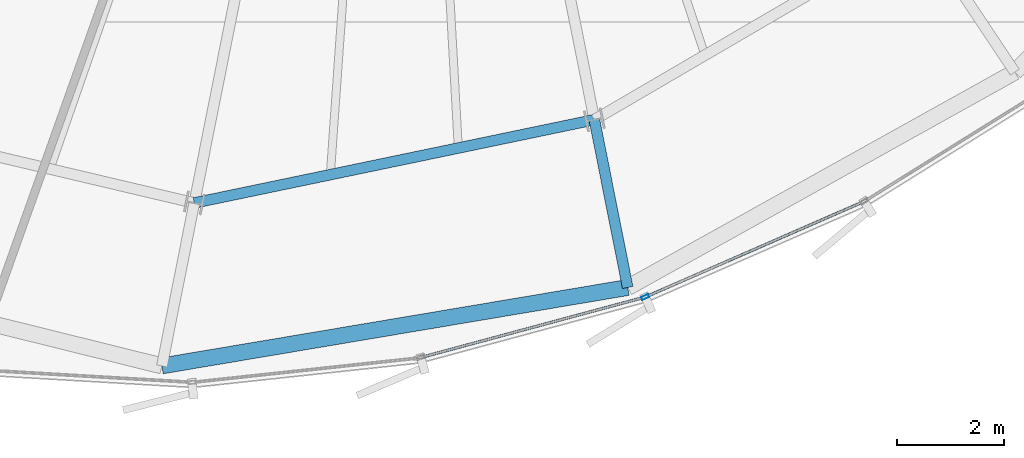
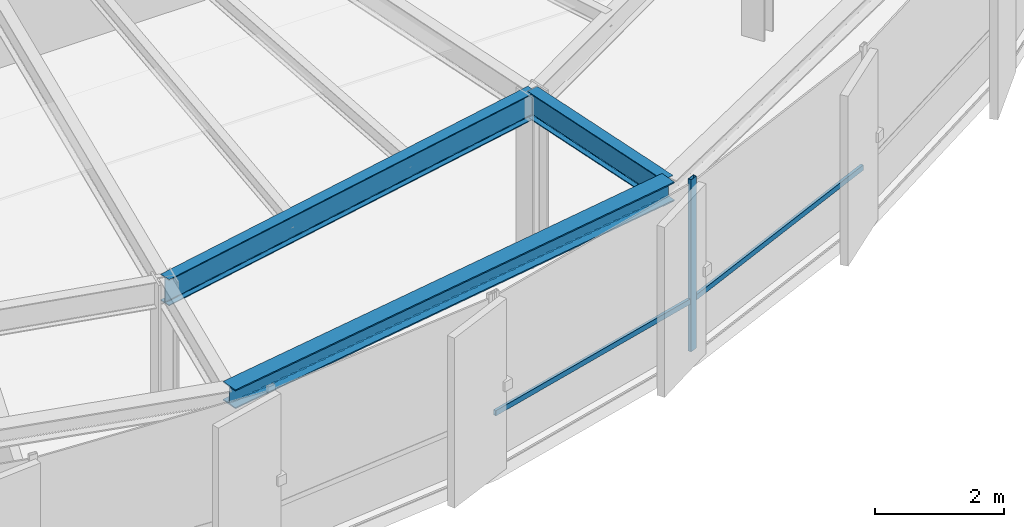
# One storey, part 7 of 35: 3 beams, 3 members, 1 element without a shape of its own.
"""IFC4 building model written with IfcOpenShell, lengths in metres."""

from ifc_helpers import new_model, si_unit, direction, frame, origin, origin_2d, place, context, subcontext, project, spatial, hollow_rectangle, i_section, extrude, source, transform, mapped, material, layer, layer_set, material_profile, profile_set, type_object, element, aggregate, save


model = new_model("IFC4")

# Units and contexts
model_context = context("Model", 3, precision=1e-05, world=origin(), true_north=direction((0.0, 1.0)))
body_context = subcontext(model_context, "Body", "Model", "MODEL_VIEW")
ifc_project = project(units=[si_unit("LENGTHUNIT", "METRE"), si_unit("AREAUNIT", "SQUARE_METRE"), si_unit("VOLUMEUNIT", "CUBIC_METRE"), si_unit("PLANEANGLEUNIT", "RADIAN"), si_unit("MASSUNIT", "GRAM", prefix="KILO"), si_unit("THERMODYNAMICTEMPERATUREUNIT", "KELVIN")], contexts=[model_context])

# Site, building, storey
site_placement = place(None, origin())
site = spatial("IfcSite", under=ifc_project, at=site_placement, CompositionType="ELEMENT")
building_placement = place(site_placement, origin())
building = spatial("IfcBuilding", under=site, at=building_placement, Name="Kethvar Cultural Tower", CompositionType="ELEMENT")
storey_placement = place(building_placement, frame((0.0, 0.0, 179.89990234375)))
storey = spatial("IfcBuildingStorey", under=building, at=storey_placement, Name="L46", CompositionType="ELEMENT", Elevation=179.89990234375)

# Beams
ifc_material_1 = material(Name="Steel S355J2", Category="steel")
ifc_material_profile_1 = material_profile(ifc_material_1, i_section(OverallWidth=0.199951171875, OverallDepth=0.5, WebThickness=0.01025390625, FlangeThickness=0.01611328125, FilletRadius=0.02099609375, at=origin_2d()), Name="Steel S355J2 — IPE500")
ifc_profile_set_1 = profile_set([ifc_material_profile_1], Name="Steel S355J2 — IPE500")
beam_type_1 = type_object("IfcBeamType", Name="BM-IPE500", PredefinedType="BEAM", material=ifc_profile_set_1)
shared_shape_1 = source(origin(), body_context, "Body", "SweptSolid", [
    extrude(i_section(OverallWidth=0.199951171875, OverallDepth=0.5, WebThickness=0.01025390625, FlangeThickness=0.01611328125, FilletRadius=0.02099609375, at=origin_2d()), origin(), (0.0, 0.0, 1.0), 3.199951171875),
])
beam_1_placement = place(storey_placement, frame((50.38671875, 9.7685546875, 3.008056640625), z_axis=(0.195088965533, -0.980785550224, 0.0), x_axis=(0.980785550224, 0.195088965533, 0.0)))
element("IfcBeam", 1, at=beam_1_placement, inside=storey, type_object=beam_type_1, Name="L46 Perimeter Cantilever Beam RC-13", PredefinedType="BEAM", context=body_context, shape_type="MappedRepresentation", body=[
    mapped(shared_shape_1, transform((0.0, 0.0, 0.0), scale=1.0)),
])
shared_shape_2 = source(origin(), body_context, "Body", "SweptSolid", [
    extrude(i_section(OverallWidth=0.199951171875, OverallDepth=0.5, WebThickness=0.01025390625, FlangeThickness=0.01611328125, FilletRadius=0.02099609375, at=origin_2d()), origin(), (0.0, 0.0, 1.0), 7.6435546875),
])
beam_2_placement = place(storey_placement, frame((42.903564453125, 8.2109375, 3.008056640625), z_axis=(0.979016278161, 0.203782057834, 0.0), x_axis=(-0.203782057834, 0.979016278161, 0.0)))
element("IfcBeam", 2, at=beam_2_placement, inside=storey, type_object=beam_type_1, Name="L46 Column Ring Tie Beam CR-12", PredefinedType="BEAM", context=body_context, shape_type="MappedRepresentation", body=[
    mapped(shared_shape_2, transform((0.0, 0.0, 0.0), scale=1.0)),
])
ifc_material_profile_2 = material_profile(ifc_material_1, i_section(OverallWidth=0.300048828125, OverallDepth=0.360107421875, WebThickness=0.012451171875, FlangeThickness=0.0224609375, FilletRadius=0.027099609375, at=origin_2d()), Name="Steel S355J2 — HEB360")
ifc_profile_set_2 = profile_set([ifc_material_profile_2], Name="Steel S355J2 — HEB360")
beam_type_2 = type_object("IfcBeamType", Name="BM-SP360", PredefinedType="SPANDREL", material=ifc_profile_set_2)
shared_shape_3 = source(origin(), body_context, "Body", "SweptSolid", [
    extrude(i_section(OverallWidth=0.300048828125, OverallDepth=0.360107421875, WebThickness=0.012451171875, FlangeThickness=0.0224609375, FilletRadius=0.027099609375, at=origin_2d()), origin(), (0.0, 0.0, 1.0), 8.836181640625),
])
beam_3_placement = place(storey_placement, frame((42.29736328125, 5.163818359375, 3.078125), z_axis=(0.986135083454, 0.165944560568, 0.0), x_axis=(-0.165944560568, 0.986135083454, 0.0)))
element("IfcBeam", 3, at=beam_3_placement, inside=storey, type_object=beam_type_2, Name="L46 Perimeter Spandrel Beam SP-12", PredefinedType="SPANDREL", context=body_context, shape_type="MappedRepresentation", body=[
    mapped(shared_shape_3, transform((0.0, 0.0, 0.0), scale=1.0)),
])

# Curtain wall, members
ifc_material_2 = material(Name="Aluminium 6063-T6", Category="aluminium")
ifc_layer = layer(ifc_material_2, 0.179931640625, Name="Aluminium 6063-T6", Category="aluminium")
ifc_layer_set = layer_set([ifc_layer], Name="Aluminium 6063-T6 (180 mm)")
curtain_wall_type = type_object("IfcCurtainWallType", Name="CW-SYS-04-Z34", PredefinedType="NOTDEFINED", material=ifc_layer_set)
curtain_wall_placement = place(storey_placement, origin())
curtain_wall = element("IfcCurtainWall", 4, at=curtain_wall_placement, inside=storey, type_object=curtain_wall_type, Name="L46 Curtain Wall Run 05", PredefinedType="NOTDEFINED")
ifc_material_profile_3 = material_profile(ifc_material_2, hollow_rectangle(XDim=0.06005859375, YDim=0.139892578125, WallThickness=0.0048828125, at=origin_2d()), Name="Aluminium 6063-T6 — RHS140x60x5")
ifc_profile_set_3 = profile_set([ifc_material_profile_3], Name="Aluminium 6063-T6 — RHS140x60x5")
member_type_1 = type_object("IfcMemberType", Name="CW-SYS-04-Z34-MUL", PredefinedType="MULLION", material=ifc_profile_set_3)
shared_shape_4 = source(origin(), body_context, "Body", "SweptSolid", [
    extrude(hollow_rectangle(XDim=0.06005859375, YDim=0.139892578125, WallThickness=0.0048828125, at=origin_2d()), origin(), (0.0, 0.0, 1.0), 3.260009765625),
])
member_1_placement = place(storey_placement, frame((51.33837890625, 6.450439453125, 0.0), z_axis=(0.0, 0.0, 1.0), x_axis=(-0.400508961926, 0.916292841518, 0.0)))
member_1 = element("IfcMember", 5, at=member_1_placement, type_object=member_type_1, Name="CW-L46-R05 Mullion 2", PredefinedType="MULLION", context=body_context, shape_type="MappedRepresentation", body=[
    mapped(shared_shape_4, transform((0.0, 0.0, 0.0), scale=1.0)),
])
ifc_material_profile_4 = material_profile(ifc_material_2, hollow_rectangle(XDim=0.050048828125, YDim=0.10009765625, WallThickness=0.00390625, at=origin_2d()), Name="Aluminium 6063-T6 — RHS100x50x4")
ifc_profile_set_4 = profile_set([ifc_material_profile_4], Name="Aluminium 6063-T6 — RHS100x50x4")
member_type_2 = type_object("IfcMemberType", Name="CW-SYS-04-Z34-TRN", PredefinedType="USERDEFINED", material=ifc_profile_set_4)
shared_shape_5 = source(origin(), body_context, "Body", "SweptSolid", [
    extrude(hollow_rectangle(XDim=0.050048828125, YDim=0.10009765625, WallThickness=0.00390625, at=origin_2d()), origin(), (0.0, 0.0, 1.0), 4.39990234375),
])
member_2_placement = place(storey_placement, frame((51.378173828125, 6.4677734375, 0.9501953125), z_axis=(0.916288457999, 0.400518990483, 0.0), x_axis=(-0.400518990483, 0.916288457999, 0.0)))
member_2 = element("IfcMember", 6, at=member_2_placement, type_object=member_type_2, Name="CW-L46-R05 Transom 2", ObjectType="TRANSOM", PredefinedType="USERDEFINED", context=body_context, shape_type="MappedRepresentation", body=[
    mapped(shared_shape_5, transform((0.0, 0.0, 0.0), scale=1.0)),
])
shared_shape_6 = source(origin(), body_context, "Body", "SweptSolid", [
    extrude(hollow_rectangle(XDim=0.050048828125, YDim=0.10009765625, WallThickness=0.00390625, at=origin_2d()), origin(), (0.0, 0.0, 1.0), 4.31494140625),
])
member_3_placement = place(storey_placement, frame((47.14599609375, 5.322021484375, 0.9501953125), z_axis=(0.96556493371, 0.260162177861, 0.0), x_axis=(-0.260162177861, 0.96556493371, 0.0)))
member_3 = element("IfcMember", 7, at=member_3_placement, type_object=member_type_2, Name="CW-L46-R05 Transom 1", ObjectType="TRANSOM", PredefinedType="USERDEFINED", context=body_context, shape_type="MappedRepresentation", body=[
    mapped(shared_shape_6, transform((0.0, 0.0, 0.0), scale=1.0)),
])
aggregate(curtain_wall, [member_1, member_3, member_2])

save(model, "model.ifc")
